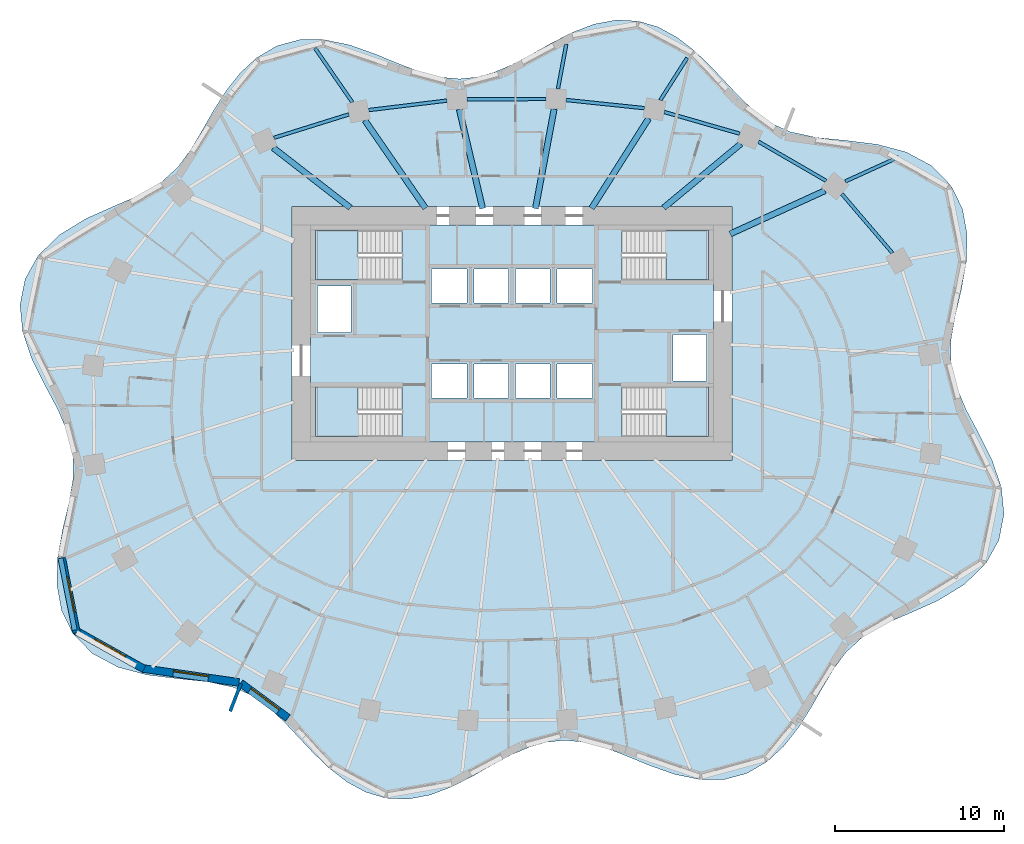
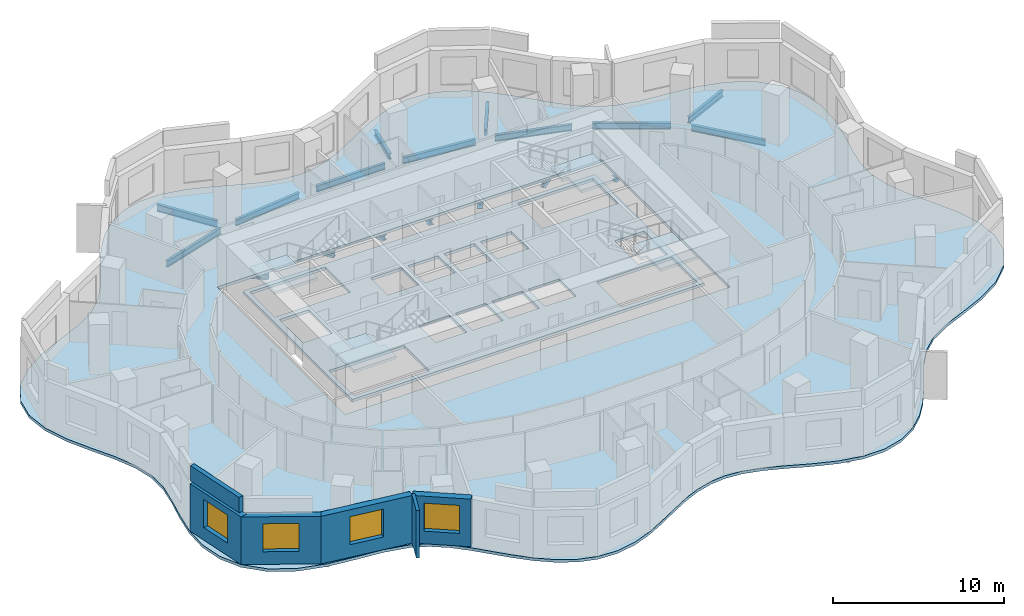
# One storey, part 2 of 10: 18 beams, 6 slabs, 6 walls, 4 windows, 4 openings, 4 elements without a shape of their own.
"""IFC4 building model written with IfcOpenShell, lengths in metres."""

import ifcopenshell
import ifcopenshell.guid

model = None  # the IFC model being written
_history = None  # IfcOwnerHistory: only IFC2X3 demands one
_inside = {}  # id of a spatial element -> (the spatial element, [elements in it])
_under = {}  # id of a project, library or spatial element -> (it, [spatial elements below it])
_declared = {}  # id of a project -> (the project, [libraries it declares])
_typed = {}  # id of a type object -> (the type object, [elements of that type])
_made_of = {}  # id of a material, layer set ... -> (it, [elements and type objects made of it])


def new_model(schema):
    """Start an empty IFC model of exactly this schema.

    Asked for "IFC4X3", IfcOpenShell would pick the latest addendum, in which some entities
    have other attributes; the version numbers below select the first issue.
    IFC2X3 requires an IfcOwnerHistory on every rooted entity: one is made here for all.
    """
    global model, _history
    if schema == "IFC4X3":
        model = ifcopenshell.file(schema_version=(4, 3, 0, 0))
    else:
        model = ifcopenshell.file(schema=schema)
    _inside.clear()
    _under.clear()
    _declared.clear()
    _typed.clear()
    _made_of.clear()
    _history = None
    if model.schema == "IFC2X3":
        org = make("IfcOrganization", Name="unknown")
        user = make(
            "IfcPersonAndOrganization",
            ThePerson=make("IfcPerson", FamilyName="unknown"),
            TheOrganization=org,
        )
        app = make(
            "IfcApplication",
            ApplicationDeveloper=org,
            Version="unknown",
            ApplicationFullName="unknown",
            ApplicationIdentifier="unknown",
        )
        _history = make(
            "IfcOwnerHistory",
            OwningUser=user,
            OwningApplication=app,
            ChangeAction="ADDED",
            CreationDate=0,
        )
    return model


def make(cls, **values):
    """One entity of the class cls with the attributes given. An attribute that is None is left unset."""
    return model.create_entity(
        cls, **{name: value for name, value in values.items() if value is not None}
    )


def rooted(cls, **values):
    """An entity with a GlobalId (a new one), such as an element, a storey or a relation."""
    return make(cls, GlobalId=ifcopenshell.guid.new(), OwnerHistory=_history, **values)


def si_unit(unit_type, name, prefix=None):
    """IfcSIUnit, for example si_unit("LENGTHUNIT", "METRE", prefix="MILLI")."""
    return make("IfcSIUnit", UnitType=unit_type, Prefix=prefix, Name=name)


def assignment(units):
    """IfcUnitAssignment: the units of a project."""
    return None if units is None else make("IfcUnitAssignment", Units=units)


def point(xyz):
    """IfcCartesianPoint."""
    return None if xyz is None else make("IfcCartesianPoint", Coordinates=xyz)


def direction(xyz):
    """IfcDirection."""
    return None if xyz is None else make("IfcDirection", DirectionRatios=xyz)


def frame(location, z_axis=None, x_axis=None):
    """IfcAxis2Placement3D, a coordinate frame: its origin and axes. An axis left out is left unset."""
    return make(
        "IfcAxis2Placement3D",
        Location=point(location),
        Axis=direction(z_axis),
        RefDirection=direction(x_axis),
    )


def frame_2d(location, x_axis=None):
    """IfcAxis2Placement2D, a coordinate frame in the plane: its origin and x axis."""
    return make(
        "IfcAxis2Placement2D", Location=point(location), RefDirection=direction(x_axis)
    )


def origin():
    """The frame at (0, 0, 0) with its axes left unset."""
    return frame((0.0, 0.0, 0.0))


def origin_2d():
    """The frame at (0, 0) in the plane with its x axis left unset."""
    return frame_2d((0.0, 0.0))


def place(relative_to, where):
    """IfcLocalPlacement: puts the frame where relative to a parent placement (None: the world)."""
    return make(
        "IfcLocalPlacement", PlacementRelTo=relative_to, RelativePlacement=where
    )


def context(
    kind, dimensions, precision=None, world=None, true_north=None, identifier=None
):
    """IfcGeometricRepresentationContext, for example the 3D "Model" context."""
    return make(
        "IfcGeometricRepresentationContext",
        ContextIdentifier=identifier,
        ContextType=kind,
        CoordinateSpaceDimension=dimensions,
        Precision=precision,
        WorldCoordinateSystem=world,
        TrueNorth=true_north,
    )


def subcontext(parent, identifier, kind, view, scale=None):
    """IfcGeometricRepresentationSubContext, for example "Body" below "Model"."""
    return make(
        "IfcGeometricRepresentationSubContext",
        ContextIdentifier=identifier,
        ContextType=kind,
        ParentContext=parent,
        TargetScale=scale,
        TargetView=view,
    )


def project(units=None, contexts=None):
    """IfcProject with its units and contexts."""
    return rooted(
        "IfcProject",
        Name="project",
        RepresentationContexts=contexts,
        UnitsInContext=assignment(units),
    )


def spatial(cls, under=None, at=None, **own):
    """A site, building, storey or space (cls), placed at a placement, below another one or the project."""
    s = rooted(cls, ObjectPlacement=at, **own)
    if under is not None:
        _under.setdefault(under.id(), (under, []))[1].append(s)
    return s


def polyline(points):
    """IfcPolyline through the points."""
    return make("IfcPolyline", Points=[point(p) for p in points])


def profile(cls, at=None, kind="AREA", **sizes):
    """A parametric profile (cls). Its sizes go by their IFC names, for example OverallWidth=200.0."""
    return make(cls, ProfileType=kind, Position=at, **sizes)


def rectangle(**sizes):
    """IfcRectangleProfileDef."""
    return profile("IfcRectangleProfileDef", **sizes)


def i_section(**sizes):
    """IfcIShapeProfileDef."""
    return profile("IfcIShapeProfileDef", **sizes)


def outline(outer, holes=None, kind="AREA"):
    """IfcArbitraryClosedProfileDef: a profile drawn as a closed curve; with holes, ...WithVoids."""
    if holes is None:
        return make("IfcArbitraryClosedProfileDef", ProfileType=kind, OuterCurve=outer)
    return make(
        "IfcArbitraryProfileDefWithVoids",
        ProfileType=kind,
        OuterCurve=outer,
        InnerCurves=holes,
    )


def extrude(swept, where, along, depth):
    """IfcExtrudedAreaSolid: the profile swept, set in the frame where, extruded along a direction by depth."""
    return make(
        "IfcExtrudedAreaSolid",
        SweptArea=swept,
        Position=where,
        ExtrudedDirection=direction(along),
        Depth=depth,
    )


def shape(context_of_items, identifier, shape_type, items):
    """IfcShapeRepresentation: the items that make up one representation, for example the "Body"."""
    return make(
        "IfcShapeRepresentation",
        ContextOfItems=context_of_items,
        RepresentationIdentifier=identifier,
        RepresentationType=shape_type,
        Items=items,
    )


def material(Name=None, Category=None):
    """IfcMaterial."""
    return make("IfcMaterial", Name=Name, Category=Category)


def layer(
    of_material, thickness, ventilated=None, Name=None, Category=None, Priority=None
):
    """IfcMaterialLayer: one layer of a wall or slab, of a material (None: an air gap)."""
    return make(
        "IfcMaterialLayer",
        Material=of_material,
        LayerThickness=thickness,
        IsVentilated=ventilated,
        Name=Name,
        Category=Category,
        Priority=Priority,
    )


def layer_set(layers, Name=None):
    """IfcMaterialLayerSet."""
    return make("IfcMaterialLayerSet", MaterialLayers=layers, LayerSetName=Name)


def material_profile(
    of_material, cross_section, Name=None, Category=None, Priority=None
):
    """IfcMaterialProfile: a cross section and its material."""
    return make(
        "IfcMaterialProfile",
        Name=Name,
        Material=of_material,
        Profile=cross_section,
        Priority=Priority,
        Category=Category,
    )


def profile_set(profiles, Name=None, composite=None):
    """IfcMaterialProfileSet."""
    return make(
        "IfcMaterialProfileSet",
        Name=Name,
        MaterialProfiles=profiles,
        CompositeProfile=composite,
    )


def made_of(thing, what):
    """Note that an element or type object is made of a material, layer set ...; save() writes the relation."""
    if what is not None:
        _made_of.setdefault(what.id(), (what, []))[1].append(thing)
    return thing


def type_object(cls, material=None, **own):
    """A type object (cls), such as IfcWallType, which elements share."""
    return made_of(rooted(cls, **own), material)


def element(
    cls,
    number,
    at=None,
    inside=None,
    cuts=None,
    type_object=None,
    material=None,
    context=None,
    identifier="Body",
    shape_type=None,
    held_by="IfcProductDefinitionShape",
    body=None,
    shapes=None,
    **own,
):
    """One element of the class cls, such as IfcWall. Its Tag is "e" and its number.

    at: its placement. inside: the storey or other place that contains it. cuts: it is an
    opening in that element (IfcRelVoidsElement). A single representation is given by context,
    identifier, shape_type and body (its items); several are given by shapes. held_by: the class
    of the entity that holds the representations. save() writes the other relations.
    """
    e = rooted(cls, Tag="e%d" % number, ObjectPlacement=at, **own)
    if body is not None:
        shapes = [shape(context, identifier, shape_type, body)]
    if shapes is not None:
        e.Representation = make(held_by, Representations=shapes)
    if inside is not None:
        _inside.setdefault(inside.id(), (inside, []))[1].append(e)
    if cuts is not None:
        rooted(
            "IfcRelVoidsElement", RelatingBuildingElement=cuts, RelatedOpeningElement=e
        )
    if type_object is not None:
        _typed.setdefault(type_object.id(), (type_object, []))[1].append(e)
    return made_of(e, material)


def fill(opening, filler):
    """IfcRelFillsElement: the door or window that sits in an opening."""
    return rooted(
        "IfcRelFillsElement",
        RelatingOpeningElement=opening,
        RelatedBuildingElement=filler,
    )


def aggregate(whole, parts):
    """IfcRelAggregates: a whole, such as a stair, and the parts it consists of."""
    return rooted("IfcRelAggregates", RelatingObject=whole, RelatedObjects=parts)


def save(model, path):
    """Write the relations noted so far, then the file.

    IfcRelAggregates (storeys below a building ...), IfcRelContainedInSpatialStructure (elements
    in a storey), IfcRelDefinesByType, IfcRelAssociatesMaterial and IfcRelDeclares: one each for
    every whole, place, type object, material and project.
    """
    for whole, parts in _under.values():
        aggregate(whole, parts)
    for where, things in _inside.values():
        rooted(
            "IfcRelContainedInSpatialStructure",
            RelatedElements=things,
            RelatingStructure=where,
        )
    for kind, things in _typed.values():
        rooted("IfcRelDefinesByType", RelatedObjects=things, RelatingType=kind)
    for what, things in _made_of.values():
        rooted("IfcRelAssociatesMaterial", RelatedObjects=things, RelatingMaterial=what)
    for by, libraries in _declared.values():
        rooted("IfcRelDeclares", RelatingContext=by, RelatedDefinitions=libraries)
    model.write(path)


model = new_model("IFC4")

# Units and contexts
model_context = context("Model", 3, precision=1e-05, world=origin(), true_north=direction((0.0, 1.0)))
body_context = subcontext(model_context, "Body", "Model", "MODEL_VIEW")
ifc_project = project(units=[si_unit("LENGTHUNIT", "METRE"), si_unit("AREAUNIT", "SQUARE_METRE"), si_unit("VOLUMEUNIT", "CUBIC_METRE"), si_unit("PLANEANGLEUNIT", "RADIAN"), si_unit("MASSUNIT", "GRAM", prefix="KILO")], contexts=[model_context])

# Site, building, storey
site_placement = place(None, origin())
site = spatial("IfcSite", under=ifc_project, at=site_placement, CompositionType="ELEMENT")
building_placement = place(site_placement, origin())
building = spatial("IfcBuilding", under=site, at=building_placement, Name="Rubra Terraces Tower", CompositionType="ELEMENT")
storey_placement = place(building_placement, frame((0.0, 0.0, 96.0)))
storey = spatial("IfcBuildingStorey", under=building, at=storey_placement, Name="L22", CompositionType="ELEMENT", Elevation=96.0)

# Beams
ifc_material_1 = material(Name="Steel Q355B", Category="steel")
ifc_material_profile_1 = material_profile(ifc_material_1, i_section(OverallWidth=0.199951171875, OverallDepth=0.39990234375, WebThickness=0.008056640625, FlangeThickness=0.012939453125, at=origin_2d()), Name="HN 400x200x8x13")
ifc_profile_set_1 = profile_set([ifc_material_profile_1], Name="Steel Q355B")
beam_type_1 = type_object("IfcBeamType", Name="CANTILEVER BEAM HN 400x200x8x13", PredefinedType="BEAM", material=ifc_profile_set_1)
beam_1_placement = place(storey_placement, frame((8.76806640625, 18.29296875, -0.39990234375), z_axis=(0.536506017285, 0.843896494493, 0.0), x_axis=(-0.843896494493, 0.536506017285, 0.0)))
element("IfcBeam", 1, at=beam_1_placement, inside=storey, type_object=beam_type_1, Name="beam-L22-cant-05", PredefinedType="BEAM", context=body_context, shape_type="SweptSolid", body=[
    extrude(i_section(OverallWidth=0.199951171875, OverallDepth=0.39990234375, WebThickness=0.008056640625, FlangeThickness=0.012939453125, at=origin_2d()), origin(), (0.0, 0.0, 1.0), 2.95068359375),
])
beam_2_placement = place(storey_placement, frame((2.714111328125, 18.952880859375, -0.39990234375), z_axis=(0.184553440076, 0.982822480286, 0.0), x_axis=(-0.982822480286, 0.184553440076, 0.0)))
element("IfcBeam", 2, at=beam_2_placement, inside=storey, type_object=beam_type_1, Name="beam-L22-cant-06", PredefinedType="BEAM", context=body_context, shape_type="SweptSolid", body=[
    extrude(i_section(OverallWidth=0.199951171875, OverallDepth=0.39990234375, WebThickness=0.008056640625, FlangeThickness=0.012939453125, at=origin_2d()), origin(), (0.0, 0.0, 1.0), 2.6708984375),
])
ifc_material_profile_2 = material_profile(ifc_material_1, i_section(OverallWidth=0.198974609375, OverallDepth=0.446044921875, WebThickness=0.008056640625, FlangeThickness=0.011962890625, at=origin_2d()), Name="HN 446x199x8x12")
ifc_profile_set_2 = profile_set([ifc_material_profile_2], Name="Steel Q355B")
beam_type_2 = type_object("IfcBeamType", Name="CANTILEVER BEAM HN 446x199x8x12", PredefinedType="BEAM", material=ifc_profile_set_2)
beam_3_placement = place(storey_placement, frame((19.697998046875, 13.485107421875, -0.423095703125), z_axis=(0.909753013399, 0.415149918236, 0.0), x_axis=(-0.415149918236, 0.909753013399, 0.0)))
element("IfcBeam", 3, at=beam_3_placement, inside=storey, type_object=beam_type_2, Name="beam-L22-cant-03", PredefinedType="BEAM", context=body_context, shape_type="SweptSolid", body=[
    extrude(i_section(OverallWidth=0.198974609375, OverallDepth=0.446044921875, WebThickness=0.008056640625, FlangeThickness=0.011962890625, at=origin_2d()), origin(), (0.0, 0.0, 1.0), 3.453857421875),
])
ifc_material_profile_3 = material_profile(ifc_material_1, i_section(OverallWidth=0.198974609375, OverallDepth=0.49609375, WebThickness=0.009033203125, FlangeThickness=0.013916015625, at=origin_2d()), Name="HN 496x199x9x14")
ifc_profile_set_3 = profile_set([ifc_material_profile_3], Name="Steel Q355B")
beam_type_3 = type_object("IfcBeamType", Name="CANTILEVER BEAM HN 496x199x9x14", PredefinedType="BEAM", material=ifc_profile_set_3)
beam_4_placement = place(storey_placement, frame((-9.431884765625, 18.158935546875, -0.447998046875), z_axis=(-0.568196775226, 0.822892717566, 0.0), x_axis=(-0.822892717566, -0.568196775226, 0.0)))
element("IfcBeam", 4, at=beam_4_placement, inside=storey, type_object=beam_type_3, Name="beam-L22-cant-08", PredefinedType="BEAM", context=body_context, shape_type="SweptSolid", body=[
    extrude(i_section(OverallWidth=0.198974609375, OverallDepth=0.49609375, WebThickness=0.009033203125, FlangeThickness=0.013916015625, at=origin_2d()), origin(), (0.0, 0.0, 1.0), 3.8984375),
])
ifc_material_profile_4 = material_profile(ifc_material_1, i_section(OverallWidth=0.35009765625, OverallDepth=0.35009765625, WebThickness=0.011962890625, FlangeThickness=0.01904296875, at=origin_2d()), Name="HW 350x350x12x19")
ifc_profile_set_4 = profile_set([ifc_material_profile_4], Name="Steel Q355B")
beam_type_4 = type_object("IfcBeamType", Name="FLOOR BEAM HW 350x350x12x19", PredefinedType="BEAM", material=ifc_profile_set_4)
beam_5_placement = place(storey_placement, frame((18.486083984375, 12.93310546875, -0.375), z_axis=(-0.909749612827, -0.415157370116, 0.0), x_axis=(0.415157370116, -0.909749612827, 0.0)))
element("IfcBeam", 5, at=beam_5_placement, inside=storey, type_object=beam_type_4, Name="beam-L22-floor-03", PredefinedType="BEAM", context=body_context, shape_type="SweptSolid", body=[
    extrude(i_section(OverallWidth=0.35009765625, OverallDepth=0.35009765625, WebThickness=0.011962890625, FlangeThickness=0.01904296875, at=origin_2d()), origin(), (0.0, 0.0, 1.0), 6.14990234375),
])
beam_6_placement = place(storey_placement, frame((13.52197265625, 15.705078125, -0.375), z_axis=(-0.769987448283, -0.638059032917, 0.0), x_axis=(0.638059032917, -0.769987448283, 0.0)))
element("IfcBeam", 6, at=beam_6_placement, inside=storey, type_object=beam_type_4, Name="beam-L22-floor-04", PredefinedType="BEAM", context=body_context, shape_type="SweptSolid", body=[
    extrude(i_section(OverallWidth=0.35009765625, OverallDepth=0.35009765625, WebThickness=0.011962890625, FlangeThickness=0.01904296875, at=origin_2d()), origin(), (0.0, 0.0, 1.0), 5.92724609375),
])
beam_7_placement = place(storey_placement, frame((8.075927734375, 17.205078125, -0.375), z_axis=(-0.536468405163, -0.843920405169, 0.0), x_axis=(0.843920405169, -0.536468405163, 0.0)))
element("IfcBeam", 7, at=beam_7_placement, inside=storey, type_object=beam_type_4, Name="beam-L22-floor-05", PredefinedType="BEAM", context=body_context, shape_type="SweptSolid", body=[
    extrude(i_section(OverallWidth=0.35009765625, OverallDepth=0.35009765625, WebThickness=0.011962890625, FlangeThickness=0.01904296875, at=origin_2d()), origin(), (0.0, 0.0, 1.0), 6.28759765625),
])
beam_8_placement = place(storey_placement, frame((2.489990234375, 17.762939453125, -0.375), z_axis=(-0.184505318504, -0.982831515288, 0.0), x_axis=(0.982831515288, -0.184505318504, 0.0)))
element("IfcBeam", 8, at=beam_8_placement, inside=storey, type_object=beam_type_4, Name="beam-L22-floor-06", PredefinedType="BEAM", context=body_context, shape_type="SweptSolid", body=[
    extrude(i_section(OverallWidth=0.35009765625, OverallDepth=0.35009765625, WebThickness=0.011962890625, FlangeThickness=0.01904296875, at=origin_2d()), origin(), (0.0, 0.0, 1.0), 5.983642578125),
])
beam_9_placement = place(storey_placement, frame((-3.114990234375, 17.738037109375, -0.375), z_axis=(0.229084580284, -0.973406520975, 0.0), x_axis=(0.973406520975, 0.229084580284, 0.0)))
element("IfcBeam", 9, at=beam_9_placement, inside=storey, type_object=beam_type_4, Name="beam-L22-floor-07", PredefinedType="BEAM", context=body_context, shape_type="SweptSolid", body=[
    extrude(i_section(OverallWidth=0.35009765625, OverallDepth=0.35009765625, WebThickness=0.011962890625, FlangeThickness=0.01904296875, at=origin_2d()), origin(), (0.0, 0.0, 1.0), 6.014892578125),
])
beam_10_placement = place(storey_placement, frame((-8.694091796875, 17.091064453125, -0.375), z_axis=(0.568116443955, -0.822948179479, 0.0), x_axis=(0.822948179479, 0.568116443955, 0.0)))
element("IfcBeam", 10, at=beam_10_placement, inside=storey, type_object=beam_type_4, Name="beam-L22-floor-08", PredefinedType="BEAM", context=body_context, shape_type="SweptSolid", body=[
    extrude(i_section(OverallWidth=0.35009765625, OverallDepth=0.35009765625, WebThickness=0.011962890625, FlangeThickness=0.01904296875, at=origin_2d()), origin(), (0.0, 0.0, 1.0), 6.306884765625),
])
beam_11_placement = place(storey_placement, frame((-14.10888671875, 15.466064453125, -0.375), z_axis=(0.789514006973, -0.613732541742, 0.0), x_axis=(0.613732541742, 0.789514006973, 0.0)))
element("IfcBeam", 11, at=beam_11_placement, inside=storey, type_object=beam_type_4, Name="beam-L22-floor-09", PredefinedType="BEAM", context=body_context, shape_type="SweptSolid", body=[
    extrude(i_section(OverallWidth=0.35009765625, OverallDepth=0.35009765625, WebThickness=0.011962890625, FlangeThickness=0.01904296875, at=origin_2d()), origin(), (0.0, 0.0, 1.0), 5.76806640625),
])
ifc_material_profile_5 = material_profile(ifc_material_1, i_section(OverallWidth=0.198974609375, OverallDepth=0.446044921875, WebThickness=0.008056640625, FlangeThickness=0.011962890625, at=origin_2d()), Name="HN 446x199x8x12")
ifc_profile_set_5 = profile_set([ifc_material_profile_5], Name="Steel Q355B")
beam_type_5 = type_object("IfcBeamType", Name="SPANDREL BEAM HN 446x199x8x12", PredefinedType="SPANDREL", material=ifc_profile_set_5)
beam_12_placement = place(storey_placement, frame((22.48095703125, 9.251953125, -0.423095703125), z_axis=(-0.650428637413, 0.759567368726, 0.0), x_axis=(-0.759567368726, -0.650428637413, 0.0)))
element("IfcBeam", 12, at=beam_12_placement, inside=storey, type_object=beam_type_5, Name="beam-L22-spandrel-02", PredefinedType="SPANDREL", context=body_context, shape_type="SweptSolid", body=[
    extrude(i_section(OverallWidth=0.198974609375, OverallDepth=0.446044921875, WebThickness=0.008056640625, FlangeThickness=0.011962890625, at=origin_2d()), origin(), (0.0, 0.0, 1.0), 4.6015625),
])
beam_13_placement = place(storey_placement, frame((18.56494140625, 13.513916015625, -0.423095703125), z_axis=(-0.865116425734, 0.501571101565, 0.0), x_axis=(-0.501571101565, -0.865116425734, 0.0)))
element("IfcBeam", 13, at=beam_13_placement, inside=storey, type_object=beam_type_5, Name="beam-L22-spandrel-03", PredefinedType="SPANDREL", context=body_context, shape_type="SweptSolid", body=[
    extrude(i_section(OverallWidth=0.198974609375, OverallDepth=0.446044921875, WebThickness=0.008056640625, FlangeThickness=0.011962890625, at=origin_2d()), origin(), (0.0, 0.0, 1.0), 4.62353515625),
])
beam_14_placement = place(storey_placement, frame((13.4609375, 16.302978515625, -0.423095703125), z_axis=(-0.961195652649, 0.275867572085, 0.0), x_axis=(-0.275867572085, -0.961195652649, 0.0)))
element("IfcBeam", 14, at=beam_14_placement, inside=storey, type_object=beam_type_5, Name="beam-L22-spandrel-04", PredefinedType="SPANDREL", context=body_context, shape_type="SweptSolid", body=[
    extrude(i_section(OverallWidth=0.198974609375, OverallDepth=0.446044921875, WebThickness=0.008056640625, FlangeThickness=0.011962890625, at=origin_2d()), origin(), (0.0, 0.0, 1.0), 4.639892578125),
])
beam_15_placement = place(storey_placement, frame((7.822998046875, 17.81201171875, -0.423095703125), z_axis=(-0.994588599148, 0.103891859374, 0.0), x_axis=(-0.103891859374, -0.994588599148, 0.0)))
element("IfcBeam", 15, at=beam_15_placement, inside=storey, type_object=beam_type_5, Name="beam-L22-spandrel-05", PredefinedType="SPANDREL", context=body_context, shape_type="SweptSolid", body=[
    extrude(i_section(OverallWidth=0.198974609375, OverallDepth=0.446044921875, WebThickness=0.008056640625, FlangeThickness=0.011962890625, at=origin_2d()), origin(), (0.0, 0.0, 1.0), 4.648193359375),
])
beam_16_placement = place(storey_placement, frame((2.0009765625, 18.35498046875, -0.423095703125), z_axis=(-0.99998885538, -0.004721135025, 0.0), x_axis=(0.004721135025, -0.99998885538, 0.0)))
element("IfcBeam", 16, at=beam_16_placement, inside=storey, type_object=beam_type_5, Name="beam-L22-spandrel-06", PredefinedType="SPANDREL", context=body_context, shape_type="SweptSolid", body=[
    extrude(i_section(OverallWidth=0.198974609375, OverallDepth=0.446044921875, WebThickness=0.008056640625, FlangeThickness=0.011962890625, at=origin_2d()), origin(), (0.0, 0.0, 1.0), 4.654052734375),
])
beam_17_placement = place(storey_placement, frame((-3.85107421875, 18.258056640625, -0.423095703125), z_axis=(-0.992713612833, -0.120497646851, 0.0), x_axis=(0.120497646851, -0.992713612833, 0.0)))
element("IfcBeam", 17, at=beam_17_placement, inside=storey, type_object=beam_type_5, Name="beam-L22-spandrel-07", PredefinedType="SPANDREL", context=body_context, shape_type="SweptSolid", body=[
    extrude(i_section(OverallWidth=0.198974609375, OverallDepth=0.446044921875, WebThickness=0.008056640625, FlangeThickness=0.011962890625, at=origin_2d()), origin(), (0.0, 0.0, 1.0), 4.64794921875),
])
beam_18_placement = place(storey_placement, frame((-9.637939453125, 17.445068359375, -0.423095703125), z_axis=(-0.954462184919, -0.298331925142, 0.0), x_axis=(0.298331925142, -0.954462184919, 0.0)))
element("IfcBeam", 18, at=beam_18_placement, inside=storey, type_object=beam_type_5, Name="beam-L22-spandrel-08", PredefinedType="SPANDREL", context=body_context, shape_type="SweptSolid", body=[
    extrude(i_section(OverallWidth=0.198974609375, OverallDepth=0.446044921875, WebThickness=0.008056640625, FlangeThickness=0.011962890625, at=origin_2d()), origin(), (0.0, 0.0, 1.0), 4.63916015625),
])

# Slab
ifc_material_2 = material(Name="Concrete C40", Category="concrete")
ifc_layer_1 = layer(ifc_material_2, 0.199951171875)
ifc_layer_set_1 = layer_set([ifc_layer_1], Name="Concrete C40")
slab_type_1 = type_object("IfcSlabType", Name="Core floor slab 200 concrete", PredefinedType="FLOOR", material=ifc_layer_set_1)
slab_1_placement = place(storey_placement, frame((0.0, 0.0, -0.199951171875)))
element("IfcSlab", 19, at=slab_1_placement, inside=storey, type_object=slab_type_1, Name="CORE FLOOR SLAB L22", PredefinedType="FLOOR", context=body_context, shape_type="SweptSolid", body=[
    extrude(outline(polyline([(-11.89990234375, -1.89990234375), (-11.89990234375, 10.89990234375), (11.89990234375, 10.89990234375), (11.89990234375, -1.89990234375), (-11.89990234375, -1.89990234375)]), holes=[polyline([(11.597900390625, 1.347900390625), (6.501953125, 1.347900390625), (6.501953125, -1.597900390625), (11.597900390625, -1.597900390625), (11.597900390625, 1.347900390625)]), polyline([(11.597900390625, 7.652099609375), (11.597900390625, 10.597900390625), (6.501953125, 10.597900390625), (6.501953125, 7.652099609375), (11.597900390625, 7.652099609375)]), polyline([(9.5, 1.699951171875), (11.5, 1.699951171875), (11.5, 4.449951171875), (9.5, 4.449951171875), (9.5, 1.699951171875)]), polyline([(4.75, 0.699951171875), (4.75, 2.699951171875), (2.64990234375, 2.699951171875), (2.64990234375, 0.699951171875), (4.75, 0.699951171875)]), polyline([(4.75, 6.300048828125), (4.75, 8.300048828125), (2.64990234375, 8.300048828125), (2.64990234375, 6.300048828125), (4.75, 6.300048828125)]), polyline([(2.25, 0.699951171875), (2.25, 2.699951171875), (0.199951171875, 2.699951171875), (0.199951171875, 0.699951171875), (2.25, 0.699951171875)]), polyline([(2.25, 6.300048828125), (2.25, 8.300048828125), (0.199951171875, 8.300048828125), (0.199951171875, 6.300048828125), (2.25, 6.300048828125)]), polyline([(-0.199951171875, 0.699951171875), (-0.199951171875, 2.699951171875), (-2.25, 2.699951171875), (-2.25, 0.699951171875), (-0.199951171875, 0.699951171875)]), polyline([(-0.199951171875, 6.300048828125), (-0.199951171875, 8.300048828125), (-2.25, 8.300048828125), (-2.25, 6.300048828125), (-0.199951171875, 6.300048828125)]), polyline([(-2.64990234375, 0.699951171875), (-2.64990234375, 2.699951171875), (-4.75, 2.699951171875), (-4.75, 0.699951171875), (-2.64990234375, 0.699951171875)]), polyline([(-2.64990234375, 8.300048828125), (-4.75, 8.300048828125), (-4.75, 6.300048828125), (-2.64990234375, 6.300048828125), (-2.64990234375, 8.300048828125)]), polyline([(-11.597900390625, -1.597900390625), (-6.501953125, -1.597900390625), (-6.501953125, 1.347900390625), (-11.597900390625, 1.347900390625), (-11.597900390625, -1.597900390625)]), polyline([(-11.597900390625, 10.597900390625), (-11.597900390625, 7.652099609375), (-6.501953125, 7.652099609375), (-6.501953125, 10.597900390625), (-11.597900390625, 10.597900390625)]), polyline([(-9.5, 4.550048828125), (-9.5, 7.300048828125), (-11.5, 7.300048828125), (-11.5, 4.550048828125), (-9.5, 4.550048828125)])]), origin(), (0.0, 0.0, 1.0), 0.199951171875),
])

# Stair, slab
stair_type = type_object("IfcStairType", Name="Core stair 1400", PredefinedType="HALF_TURN_STAIR", material=ifc_material_2)
stair_1_placement = place(storey_placement, origin())
stair_1 = element("IfcStair", 20, at=stair_1_placement, inside=storey, type_object=stair_type, Name="L22 Exit stair S1", PredefinedType="HALF_TURN_STAIR")
ifc_layer_2 = layer(ifc_material_2, 0.199951171875)
ifc_layer_set_2 = layer_set([ifc_layer_2], Name="Concrete C40")
slab_type_2 = type_object("IfcSlabType", Name="Core stair landing 200", PredefinedType="LANDING", material=ifc_layer_set_2)
slab_2_placement = place(storey_placement, frame((0.0, 0.0, 1.60009765625)))
slab_2 = element("IfcSlab", 21, at=slab_2_placement, type_object=slab_type_2, Name="S1 landing 1", PredefinedType="LANDING", context=body_context, shape_type="SweptSolid", body=[
    extrude(outline(polyline([(-8.719970703125, -0.199951171875), (-8.719970703125, -1.60009765625), (-9.10009765625, -1.60009765625), (-9.1201171875, -1.60009765625), (-11.60009765625, -1.60009765625), (-11.60009765625, 1.35009765625), (-9.1201171875, 1.35009765625), (-9.097900390625, 1.35009765625), (-9.097900390625, -0.050048828125), (-9.10009765625, -0.050048828125), (-9.10009765625, -0.199951171875), (-8.719970703125, -0.199951171875)])), origin(), (0.0, 0.0, 1.0), 0.199951171875),
])
aggregate(stair_1, [slab_2])

stair_2_placement = place(storey_placement, origin())
stair_2 = element("IfcStair", 22, at=stair_2_placement, inside=storey, type_object=stair_type, Name="L22 Exit stair S2", PredefinedType="HALF_TURN_STAIR")
slab_3_placement = place(storey_placement, frame((0.0, 0.0, 1.60009765625)))
slab_3 = element("IfcSlab", 23, at=slab_3_placement, type_object=slab_type_2, Name="S2 landing 1", PredefinedType="LANDING", context=body_context, shape_type="SweptSolid", body=[
    extrude(outline(polyline([(-8.719970703125, 9.050048828125), (-8.719970703125, 7.64990234375), (-9.1201171875, 7.64990234375), (-11.60009765625, 7.64990234375), (-11.60009765625, 10.60009765625), (-9.1201171875, 10.60009765625), (-9.10009765625, 10.60009765625), (-9.097900390625, 10.60009765625), (-9.097900390625, 9.199951171875), (-9.10009765625, 9.199951171875), (-9.10009765625, 9.050048828125), (-8.719970703125, 9.050048828125)])), origin(), (0.0, 0.0, 1.0), 0.199951171875),
])
aggregate(stair_2, [slab_3])

stair_3_placement = place(storey_placement, origin())
stair_3 = element("IfcStair", 24, at=stair_3_placement, inside=storey, type_object=stair_type, Name="L22 Exit stair S3", PredefinedType="HALF_TURN_STAIR")
slab_4_placement = place(storey_placement, frame((0.0, 0.0, 1.60009765625)))
slab_4 = element("IfcSlab", 25, at=slab_4_placement, type_object=slab_type_2, Name="S3 landing 1", PredefinedType="LANDING", context=body_context, shape_type="SweptSolid", body=[
    extrude(outline(polyline([(9.10009765625, 9.050048828125), (9.10009765625, 9.199951171875), (8.719970703125, 9.199951171875), (8.719970703125, 10.60009765625), (9.10009765625, 10.60009765625), (9.1201171875, 10.60009765625), (11.60009765625, 10.60009765625), (11.60009765625, 7.64990234375), (9.1201171875, 7.64990234375), (9.097900390625, 7.64990234375), (9.097900390625, 9.050048828125), (9.10009765625, 9.050048828125)])), origin(), (0.0, 0.0, 1.0), 0.199951171875),
])
aggregate(stair_3, [slab_4])

stair_4_placement = place(storey_placement, origin())
stair_4 = element("IfcStair", 26, at=stair_4_placement, inside=storey, type_object=stair_type, Name="L22 Exit stair S4", PredefinedType="HALF_TURN_STAIR")
slab_5_placement = place(storey_placement, frame((0.0, 0.0, 1.60009765625)))
slab_5 = element("IfcSlab", 27, at=slab_5_placement, type_object=slab_type_2, Name="S4 landing 1", PredefinedType="LANDING", context=body_context, shape_type="SweptSolid", body=[
    extrude(outline(polyline([(9.10009765625, -0.199951171875), (9.10009765625, -0.050048828125), (8.719970703125, -0.050048828125), (8.719970703125, 1.35009765625), (9.10009765625, 1.35009765625), (9.1201171875, 1.35009765625), (11.60009765625, 1.35009765625), (11.60009765625, -1.60009765625), (9.1201171875, -1.60009765625), (9.10009765625, -1.60009765625), (9.097900390625, -1.60009765625), (9.097900390625, -0.199951171875), (9.10009765625, -0.199951171875)])), origin(), (0.0, 0.0, 1.0), 0.199951171875),
])
aggregate(stair_4, [slab_5])

# Slab
ifc_layer_3 = layer(ifc_material_2, 0.199951171875)
ifc_layer_set_3 = layer_set([ifc_layer_3], Name="Concrete C40")
slab_type_3 = type_object("IfcSlabType", Name="FLOOR SLAB 200 COMPOSITE", PredefinedType="FLOOR", material=ifc_layer_set_3)
slab_6_placement = place(storey_placement, frame((0.0, 0.0, -0.199951171875)))
element("IfcSlab", 28, at=slab_6_placement, inside=storey, type_object=slab_type_3, Name="FLOOR SLAB L22", PredefinedType="FLOOR", context=body_context, shape_type="SweptSolid", body=[
    extrude(outline(polyline([(27.60498046875, -1.447998046875), (26.8330078125, 0.0), (26.241943359375, 1.402099609375), (25.93408203125, 2.7490234375), (25.93896484375, 4.10791015625), (26.18994140625, 5.527099609375), (26.551025390625, 7.068115234375), (26.843994140625, 8.721923828125), (26.89794921875, 10.322021484375), (26.618896484375, 11.860107421875), (25.9541015625, 13.22412109375), (24.791015625, 14.4169921875), (23.280029296875, 15.22412109375), (21.576904296875, 15.677001953125), (19.7109375, 15.906982421875), (17.967041015625, 16.08203125), (16.422119140625, 16.422119140625), (15.35791015625, 16.89892578125), (14.376953125, 17.594970703125), (13.430908203125, 18.487060546875), (12.596923828125, 19.3779296875), (11.72509765625, 20.303955078125), (10.798095703125, 21.19189453125), (9.7509765625, 22.001953125), (8.634033203125, 22.60888671875), (7.4599609375, 22.958984375), (6.156982421875, 23.02197265625), (4.837890625, 22.77490234375), (3.528076171875, 22.27490234375), (2.3291015625, 21.662109375), (1.156005859375, 20.9990234375), (0.0, 20.383056640625), (-1.0439453125, 19.93701171875), (-2.072021484375, 19.64794921875), (-3.094970703125, 19.5419921875), (-4.2451171875, 19.64501953125), (-5.419921875, 19.9560546875), (-6.633056640625, 20.4130859375), (-8.09912109375, 21.01806640625), (-9.613037109375, 21.552001953125), (-11.14208984375, 21.866943359375), (-12.552978515625, 21.85595703125), (-13.886962890625, 21.4951171875), (-15.10009765625, 20.782958984375), (-16.069091796875, 19.883056640625), (-16.9140625, 18.81005859375), (-17.65087890625, 17.65087890625), (-18.34912109375, 16.429931640625), (-19.02294921875, 15.304931640625), (-19.736083984375, 14.339111328125), (-20.780029296875, 13.382080078125), (-22.05810546875, 12.64990234375), (-23.56298828125, 12.006103515625), (-25.175048828125, 11.283935546875), (-26.72509765625, 10.337890625), (-28.0, 9.097900390625), (-28.77099609375, 7.715087890625), (-29.072021484375, 6.176025390625), (-28.912109375, 4.5791015625), (-28.365966796875, 2.970947265625), (-27.60498046875, 1.447998046875), (-26.8330078125, 0.0), (-26.241943359375, -1.402099609375), (-25.93408203125, -2.7490234375), (-25.93896484375, -4.10791015625), (-26.18994140625, -5.527099609375), (-26.551025390625, -7.068115234375), (-26.843994140625, -8.721923828125), (-26.89794921875, -10.322021484375), (-26.618896484375, -11.860107421875), (-25.9541015625, -13.22412109375), (-24.791015625, -14.4169921875), (-23.280029296875, -15.22412109375), (-21.576904296875, -15.677001953125), (-19.7109375, -15.906982421875), (-17.967041015625, -16.08203125), (-16.422119140625, -16.422119140625), (-15.35791015625, -16.89892578125), (-14.376953125, -17.594970703125), (-13.430908203125, -18.487060546875), (-12.596923828125, -19.3779296875), (-11.72509765625, -20.303955078125), (-10.798095703125, -21.19189453125), (-9.7509765625, -22.001953125), (-8.634033203125, -22.60888671875), (-7.4599609375, -22.958984375), (-6.156982421875, -23.02197265625), (-4.837890625, -22.77490234375), (-3.528076171875, -22.27490234375), (-2.3291015625, -21.662109375), (-1.156005859375, -20.9990234375), (0.0, -20.383056640625), (1.0439453125, -19.93701171875), (2.072021484375, -19.64794921875), (3.094970703125, -19.5419921875), (4.2451171875, -19.64501953125), (5.419921875, -19.9560546875), (6.633056640625, -20.4130859375), (8.09912109375, -21.01806640625), (9.613037109375, -21.552001953125), (11.14208984375, -21.866943359375), (12.552978515625, -21.85595703125), (13.886962890625, -21.4951171875), (15.10009765625, -20.782958984375), (16.069091796875, -19.883056640625), (16.9140625, -18.81005859375), (17.65087890625, -17.65087890625), (18.34912109375, -16.429931640625), (19.02294921875, -15.304931640625), (19.736083984375, -14.339111328125), (20.780029296875, -13.382080078125), (22.05810546875, -12.64990234375), (23.56298828125, -12.006103515625), (25.175048828125, -11.283935546875), (26.72509765625, -10.337890625), (28.0, -9.097900390625), (28.77099609375, -7.715087890625), (29.072021484375, -6.176025390625), (28.912109375, -4.5791015625), (28.365966796875, -2.970947265625), (27.60498046875, -1.447998046875)]), holes=[polyline([(13.0, 12.0), (13.0, -3.0), (-13.0, -3.0), (-13.0, 12.0), (13.0, 12.0)])]), origin(), (0.0, 0.0, 1.0), 0.199951171875),
])

# Wall, opening, window
ifc_material_3 = material(Name="Brick masonry red-brown", Category="masonry")
ifc_layer_4 = layer(ifc_material_3, 0.449951171875)
ifc_layer_set_4 = layer_set([ifc_layer_4], Name="Brick masonry red-brown")
wall_type_1 = type_object("IfcWallType", Name="Brick facade wall 450", PredefinedType="SOLIDWALL", material=ifc_layer_set_4)
wall_1_placement = place(storey_placement, frame((-26.609619140625, -8.747802734375, 0.0), z_axis=(0.0, 0.0, 1.0), x_axis=(0.193923166402, -0.981016720312, 0.0)))
wall_1 = element("IfcWall", 29, at=wall_1_placement, inside=storey, type_object=wall_type_1, Name="Facade wall L22 bay 23", PredefinedType="SOLIDWALL", context=body_context, shape_type="SweptSolid", body=[
    extrude(rectangle(XDim=4.518310546875, YDim=0.449951171875, at=frame_2d((2.25927734375, 0.0))), origin(), (0.0, 0.0, 1.0), 3.39990234375),
])
opening_1_placement = place(wall_1_placement, frame((1.209228515625, 0.0, 0.89990234375)))
opening_1 = element("IfcOpeningElement", 30, at=opening_1_placement, cuts=wall_1, Name="Opening W1", PredefinedType="OPENING", context=body_context, shape_type="SweptSolid", body=[
    extrude(rectangle(XDim=2.10009765625, YDim=2.0, at=frame_2d((1.050048828125, 1.0))), frame((0.0, 0.23486328125, 0.0), z_axis=(0.0, -1.0, 0.0), x_axis=(1.0, 0.0, 0.0)), (0.0, 0.0, 1.0), 0.469970703125),
])
ifc_material_4 = material(Name="Clear glass in aluminium frame", Category="aluminium")
window_type = type_object("IfcWindowType", Name="Fixed deep-set window 2100 x 2000", PartitioningType="SINGLE_PANEL", PredefinedType="WINDOW", material=ifc_material_4)
window_1_placement = place(opening_1_placement, origin())
window_1 = element("IfcWindow", 31, at=window_1_placement, inside=storey, type_object=window_type, Name="Window L22 bay 23", OverallHeight=2.0, OverallWidth=2.10009765625, PartitioningType="SINGLE_PANEL", PredefinedType="WINDOW", context=body_context, shape_type="SweptSolid", body=[
    extrude(rectangle(XDim=2.10009765625, YDim=2.0, at=frame_2d((1.050048828125, 1.0))), frame((0.0, 0.135009765625, 0.0), z_axis=(0.0, -1.0, 0.0), x_axis=(1.0, 0.0, 0.0)), (0.0, 0.0, 1.0), 0.06005859375),
])
fill(opening_1, window_1)

wall_2_placement = place(storey_placement, frame((-25.843994140625, -13.027587890625, 0.0), z_axis=(0.0, 0.0, 1.0), x_axis=(0.872346398261, -0.488888291373, 0.0)))
wall_2 = element("IfcWall", 32, at=wall_2_placement, inside=storey, type_object=wall_type_1, Name="Facade wall L22 bay 24", PredefinedType="SOLIDWALL", context=body_context, shape_type="SweptSolid", body=[
    extrude(rectangle(XDim=4.696044921875, YDim=0.449951171875, at=frame_2d((2.34814453125, 0.0))), origin(), (0.0, 0.0, 1.0), 3.39990234375),
])
opening_2_placement = place(wall_2_placement, frame((1.298095703125, 0.0, 0.89990234375)))
opening_2 = element("IfcOpeningElement", 33, at=opening_2_placement, cuts=wall_2, Name="Opening W1", PredefinedType="OPENING", context=body_context, shape_type="SweptSolid", body=[
    extrude(rectangle(XDim=2.10009765625, YDim=2.0, at=frame_2d((1.050048828125, 1.0))), frame((0.0, 0.23486328125, 0.0), z_axis=(0.0, -1.0, 0.0), x_axis=(1.0, 0.0, 0.0)), (0.0, 0.0, 1.0), 0.469970703125),
])
window_2_placement = place(opening_2_placement, origin())
window_2 = element("IfcWindow", 34, at=window_2_placement, inside=storey, type_object=window_type, Name="Window L22 bay 24", OverallHeight=2.0, OverallWidth=2.10009765625, PartitioningType="SINGLE_PANEL", PredefinedType="WINDOW", context=body_context, shape_type="SweptSolid", body=[
    extrude(rectangle(XDim=2.10009765625, YDim=2.0, at=frame_2d((1.050048828125, 1.0))), frame((0.0, 0.135009765625, 0.0), z_axis=(0.0, -1.0, 0.0), x_axis=(1.0, 0.0, 0.0)), (0.0, 0.0, 1.0), 0.06005859375),
])
fill(opening_2, window_2)

wall_3_placement = place(storey_placement, frame((-21.8251953125, -15.297119140625, 0.0), z_axis=(0.0, 0.0, 1.0), x_axis=(0.98971474215, -0.143054986527, 0.0)))
wall_3 = element("IfcWall", 35, at=wall_3_placement, inside=storey, type_object=wall_type_1, Name="Facade wall L22 bay 25", PredefinedType="SOLIDWALL", context=body_context, shape_type="SweptSolid", body=[
    extrude(rectangle(XDim=5.7529296875, YDim=0.449951171875, at=frame_2d((2.87646484375, 0.0))), origin(), (0.0, 0.0, 1.0), 3.39990234375),
])
opening_3_placement = place(wall_3_placement, frame((1.826416015625, 0.0, 0.89990234375)))
opening_3 = element("IfcOpeningElement", 36, at=opening_3_placement, cuts=wall_3, Name="Opening W1", PredefinedType="OPENING", context=body_context, shape_type="SweptSolid", body=[
    extrude(rectangle(XDim=2.10009765625, YDim=2.0, at=frame_2d((1.050048828125, 1.0))), frame((0.0, 0.23486328125, 0.0), z_axis=(0.0, -1.0, 0.0), x_axis=(1.0, 0.0, 0.0)), (0.0, 0.0, 1.0), 0.469970703125),
])
window_3_placement = place(opening_3_placement, origin())
window_3 = element("IfcWindow", 37, at=window_3_placement, inside=storey, type_object=window_type, Name="Window L22 bay 25", OverallHeight=2.0, OverallWidth=2.10009765625, PartitioningType="SINGLE_PANEL", PredefinedType="WINDOW", context=body_context, shape_type="SweptSolid", body=[
    extrude(rectangle(XDim=2.10009765625, YDim=2.0, at=frame_2d((1.050048828125, 1.0))), frame((0.0, 0.135009765625, 0.0), z_axis=(0.0, -1.0, 0.0), x_axis=(1.0, 0.0, 0.0)), (0.0, 0.0, 1.0), 0.06005859375),
])
fill(opening_3, window_3)

wall_4_placement = place(storey_placement, frame((-16.03564453125, -16.15771484375, 0.0), z_axis=(0.0, 0.0, 1.0), x_axis=(0.805181432967, -0.593028549064, 0.0)))
wall_4 = element("IfcWall", 38, at=wall_4_placement, inside=storey, type_object=wall_type_1, Name="Facade wall L22 bay 26", PredefinedType="SOLIDWALL", context=body_context, shape_type="SweptSolid", body=[
    extrude(rectangle(XDim=3.468505859375, YDim=0.449951171875, at=frame_2d((1.734375, 0.0))), origin(), (0.0, 0.0, 1.0), 3.39990234375),
])
opening_4_placement = place(wall_4_placement, frame((0.684326171875, 0.0, 0.89990234375)))
opening_4 = element("IfcOpeningElement", 39, at=opening_4_placement, cuts=wall_4, Name="Opening W1", PredefinedType="OPENING", context=body_context, shape_type="SweptSolid", body=[
    extrude(rectangle(XDim=2.10009765625, YDim=2.0, at=frame_2d((1.050048828125, 1.0))), frame((0.0, 0.23486328125, 0.0), z_axis=(0.0, -1.0, 0.0), x_axis=(1.0, 0.0, 0.0)), (0.0, 0.0, 1.0), 0.469970703125),
])
window_4_placement = place(opening_4_placement, origin())
window_4 = element("IfcWindow", 40, at=window_4_placement, inside=storey, type_object=window_type, Name="Window L22 bay 26", OverallHeight=2.0, OverallWidth=2.10009765625, PartitioningType="SINGLE_PANEL", PredefinedType="WINDOW", context=body_context, shape_type="SweptSolid", body=[
    extrude(rectangle(XDim=2.10009765625, YDim=2.0, at=frame_2d((1.050048828125, 1.0))), frame((0.0, 0.135009765625, 0.0), z_axis=(0.0, -1.0, 0.0), x_axis=(1.0, 0.0, 0.0)), (0.0, 0.0, 1.0), 0.06005859375),
])
fill(opening_4, window_4)

# Walls
ifc_layer_5 = layer(ifc_material_3, 0.300048828125)
ifc_layer_set_5 = layer_set([ifc_layer_5], Name="Brick masonry red-brown")
wall_type_2 = type_object("IfcWallType", Name="Brick parapet 300", PredefinedType="PARAPET", material=ifc_layer_set_5)
wall_5_placement = place(storey_placement, frame((-26.6796875, -8.7802734375, 3.60009765625), z_axis=(0.0, 0.0, 1.0), x_axis=(0.193937094138, -0.981013967035, 0.0)))
element("IfcWall", 41, at=wall_5_placement, inside=storey, type_object=wall_type_2, Name="Parapet L22 bay 23", PredefinedType="PARAPET", context=body_context, shape_type="SweptSolid", body=[
    extrude(rectangle(XDim=4.331787109375, YDim=0.300048828125, at=frame_2d((2.166015625, 0.0))), origin(), (0.0, 0.0, 1.0), 1.099853515625),
])
ifc_layer_6 = layer(ifc_material_3, 0.199951171875)
ifc_layer_set_6 = layer_set([ifc_layer_6], Name="Brick masonry red-brown")
wall_type_3 = type_object("IfcWallType", Name="Brick wind fin 200", PredefinedType="SOLIDWALL", material=ifc_layer_set_6)
wall_6_placement = place(storey_placement, frame((-16.01904296875, -16.195068359375, 0.0), z_axis=(0.0, 0.0, 1.0), x_axis=(-0.362641522028, -0.931928713208, 0.0)))
element("IfcWall", 42, at=wall_6_placement, inside=storey, type_object=wall_type_3, Name="Wind fin L22 16", PredefinedType="SOLIDWALL", context=body_context, shape_type="SweptSolid", body=[
    extrude(rectangle(XDim=1.749755859375, YDim=0.199951171875, at=frame_2d((0.875, 0.0))), origin(), (0.0, 0.0, 1.0), 3.39990234375),
])

save(model, "model.ifc")
